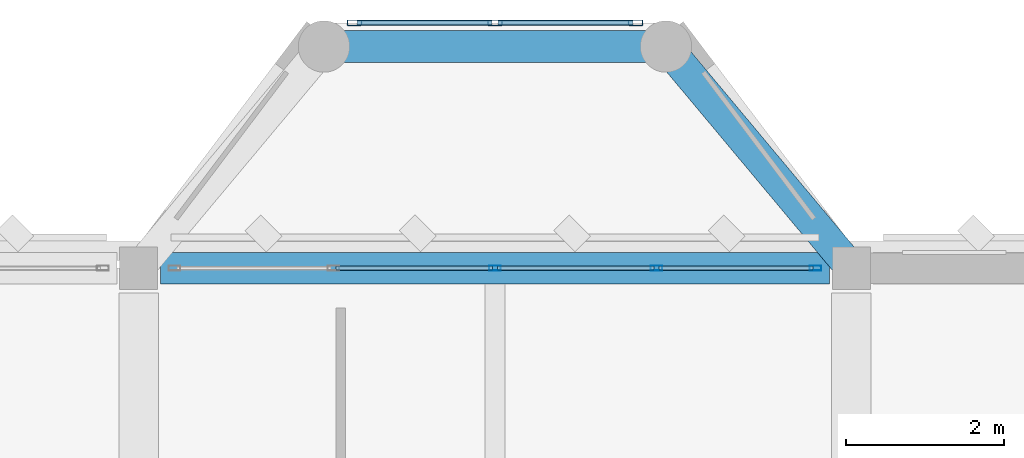
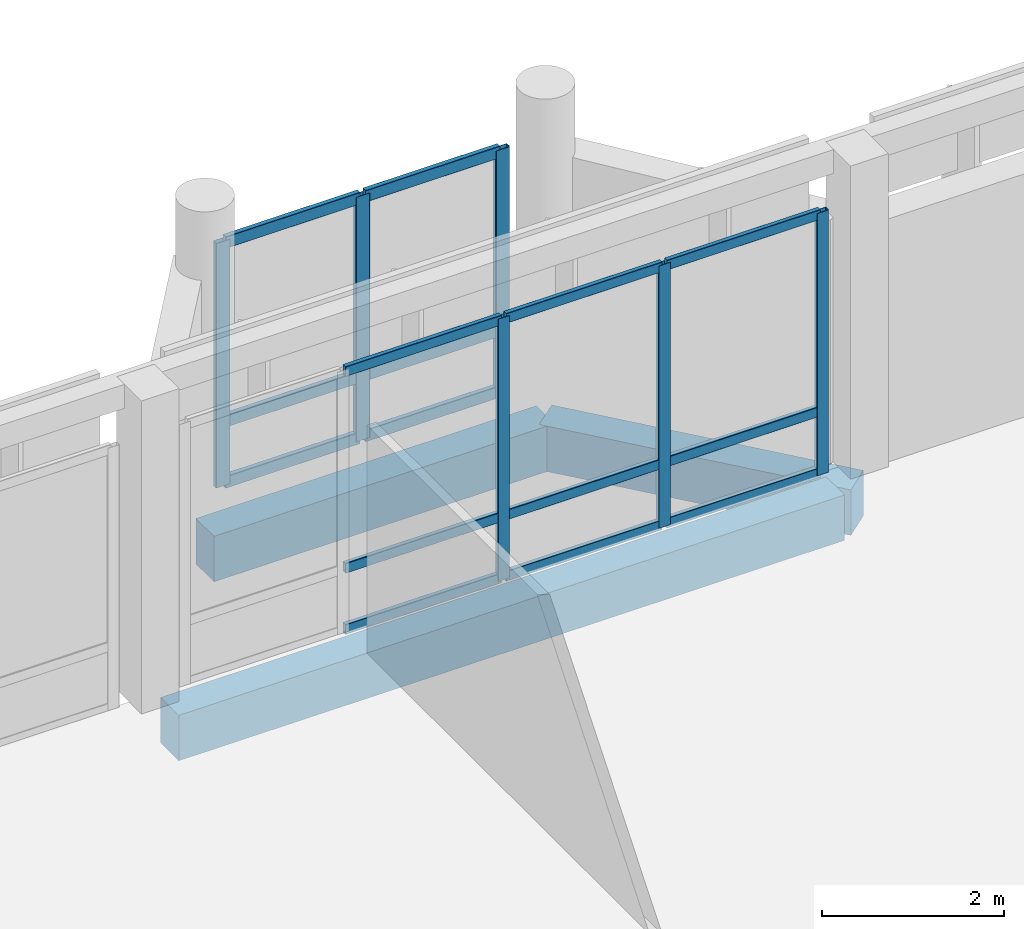
# One storey, part 38 of 72: 21 members, 3 beams, 2 elements without a shape of their own.
"""IFC4 building model written with IfcOpenShell, lengths in metres."""

from ifc_helpers import new_model, si_unit, direction, frame, origin, origin_2d, place, context, subcontext, project, spatial, rectangle, hollow_rectangle, extrude, material, material_profile, profile_set, type_object, element, aggregate, save


model = new_model("IFC4")

# Units and contexts
model_context = context("Model", 3, precision=1e-05, world=origin(), true_north=direction((0.0, 1.0)))
body_context = subcontext(model_context, "Body", "Model", "MODEL_VIEW")
ifc_project = project(units=[si_unit("LENGTHUNIT", "METRE"), si_unit("AREAUNIT", "SQUARE_METRE"), si_unit("VOLUMEUNIT", "CUBIC_METRE"), si_unit("PLANEANGLEUNIT", "RADIAN"), si_unit("MASSUNIT", "GRAM", prefix="KILO")], contexts=[model_context])

# Site, building, storey
site_placement = place(None, origin())
site = spatial("IfcSite", under=ifc_project, at=site_placement, CompositionType="ELEMENT")
building_placement = place(site_placement, origin())
building = spatial("IfcBuilding", under=site, at=building_placement, Name="Lusvemor Sports Hall", CompositionType="ELEMENT")
storey_placement = place(building_placement, frame((0.0, 0.0, 15.0)))
storey = spatial("IfcBuildingStorey", under=building, at=storey_placement, Name="L03", CompositionType="ELEMENT", Elevation=15.0)

# Curtain wall, members
ifc_material_1 = material(Name="Thermally broken bronze-anodized aluminium", Category="aluminium")
curtain_wall_type_1 = type_object("IfcCurtainWallType", Name="CW_FOYER_A", PredefinedType="NOTDEFINED", material=ifc_material_1)
curtain_wall_1_placement = place(storey_placement, origin())
curtain_wall_1 = element("IfcCurtainWall", 1, at=curtain_wall_1_placement, inside=storey, type_object=curtain_wall_type_1, Name="Curtain Wall CW-BOW-N2-L03-M", PredefinedType="NOTDEFINED")
ifc_material_2 = material(Name="Thermally broken bronze-anodized aluminium", Category="aluminium")
ifc_material_profile_1 = material_profile(ifc_material_2, hollow_rectangle(XDim=0.070068359375, YDim=0.179931640625, WallThickness=0.0048828125, InnerFilletRadius=0.0048828125, OuterFilletRadius=0.010009765625, at=origin_2d()), Name="CWMUL180x70x5")
ifc_profile_set_1 = profile_set([ifc_material_profile_1], Name="Thermally broken bronze-anodized aluminium")
member_type_1 = type_object("IfcMemberType", Name="CW_MUL_A", PredefinedType="MULLION", material=ifc_profile_set_1)
member_1_placement = place(storey_placement, frame((78.324951171875, 118.300048828125, 0.0), z_axis=(0.0, 0.0, 1.0), x_axis=(0.0, 1.0, 0.0)))
member_1 = element("IfcMember", 2, at=member_1_placement, type_object=member_type_1, Name="CW01 mullion 1", PredefinedType="MULLION", context=body_context, shape_type="SweptSolid", body=[
    extrude(hollow_rectangle(XDim=0.070068359375, YDim=0.179931640625, WallThickness=0.0048828125, InnerFilletRadius=0.0048828125, OuterFilletRadius=0.010009765625, at=origin_2d()), origin(), (0.0, 0.0, 1.0), 3.280029296875),
])
member_2_placement = place(storey_placement, frame((80.10009765625, 118.300048828125, 0.0), z_axis=(0.0, 0.0, 1.0), x_axis=(0.0, 1.0, 0.0)))
member_2 = element("IfcMember", 3, at=member_2_placement, type_object=member_type_1, Name="CW01 mullion 2", PredefinedType="MULLION", context=body_context, shape_type="SweptSolid", body=[
    extrude(hollow_rectangle(XDim=0.070068359375, YDim=0.179931640625, WallThickness=0.0048828125, InnerFilletRadius=0.0048828125, OuterFilletRadius=0.010009765625, at=origin_2d()), origin(), (0.0, 0.0, 1.0), 3.280029296875),
])
member_3_placement = place(storey_placement, frame((81.875, 118.300048828125, 0.0), z_axis=(0.0, 0.0, 1.0), x_axis=(0.0, 1.0, 0.0)))
member_3 = element("IfcMember", 4, at=member_3_placement, type_object=member_type_1, Name="CW01 mullion 3", PredefinedType="MULLION", context=body_context, shape_type="SweptSolid", body=[
    extrude(hollow_rectangle(XDim=0.070068359375, YDim=0.179931640625, WallThickness=0.0048828125, InnerFilletRadius=0.0048828125, OuterFilletRadius=0.010009765625, at=origin_2d()), origin(), (0.0, 0.0, 1.0), 3.280029296875),
])

ifc_material_3 = material(Name="Thermally broken bronze-anodized aluminium", Category="aluminium")
curtain_wall_type_2 = type_object("IfcCurtainWallType", Name="CW_WING_B", PredefinedType="NOTDEFINED", material=ifc_material_3)
curtain_wall_2_placement = place(storey_placement, origin())
curtain_wall_2 = element("IfcCurtainWall", 5, at=curtain_wall_2_placement, inside=storey, type_object=curtain_wall_type_2, Name="Curtain Wall CW-L03-N-1-7", PredefinedType="NOTDEFINED")
ifc_material_4 = material(Name="Thermally broken bronze-anodized aluminium", Category="aluminium")
ifc_material_profile_2 = material_profile(ifc_material_4, hollow_rectangle(XDim=0.06494140625, YDim=0.14990234375, WallThickness=0.00390625, InnerFilletRadius=0.00390625, OuterFilletRadius=0.008056640625, at=origin_2d()), Name="CWMUL150x65x4")
ifc_profile_set_2 = profile_set([ifc_material_profile_2], Name="Thermally broken bronze-anodized aluminium")
member_type_2 = type_object("IfcMemberType", Name="CW_MUL_B", PredefinedType="MULLION", material=ifc_profile_set_2)
member_4_placement = place(storey_placement, frame((80.10009765625, 115.199951171875, 0.0), z_axis=(0.0, 0.0, 1.0), x_axis=(0.0, 1.0, 0.0)))
member_4 = element("IfcMember", 6, at=member_4_placement, type_object=member_type_2, Name="CW02 mullion 3", PredefinedType="MULLION", context=body_context, shape_type="SweptSolid", body=[
    extrude(hollow_rectangle(XDim=0.06494140625, YDim=0.14990234375, WallThickness=0.00390625, InnerFilletRadius=0.00390625, OuterFilletRadius=0.008056640625, at=origin_2d()), origin(), (0.0, 0.0, 1.0), 3.52001953125),
])
member_5_placement = place(storey_placement, frame((82.139892578125, 115.199951171875, 0.0), z_axis=(0.0, 0.0, 1.0), x_axis=(0.0, 1.0, 0.0)))
member_5 = element("IfcMember", 7, at=member_5_placement, type_object=member_type_2, Name="CW02 mullion 4", PredefinedType="MULLION", context=body_context, shape_type="SweptSolid", body=[
    extrude(hollow_rectangle(XDim=0.06494140625, YDim=0.14990234375, WallThickness=0.00390625, InnerFilletRadius=0.00390625, OuterFilletRadius=0.008056640625, at=origin_2d()), origin(), (0.0, 0.0, 1.0), 3.52001953125),
])
member_6_placement = place(storey_placement, frame((84.1474609375, 115.199951171875, 0.0), z_axis=(0.0, 0.0, 1.0), x_axis=(0.0, 1.0, 0.0)))
member_6 = element("IfcMember", 8, at=member_6_placement, type_object=member_type_2, Name="CW02 mullion 5", PredefinedType="MULLION", context=body_context, shape_type="SweptSolid", body=[
    extrude(hollow_rectangle(XDim=0.06494140625, YDim=0.14990234375, WallThickness=0.00390625, InnerFilletRadius=0.00390625, OuterFilletRadius=0.008056640625, at=origin_2d()), origin(), (0.0, 0.0, 1.0), 3.52001953125),
])

# Member
ifc_material_5 = material(Name="Thermally broken bronze-anodized aluminium", Category="aluminium")
ifc_material_profile_3 = material_profile(ifc_material_5, hollow_rectangle(XDim=0.06494140625, YDim=0.159912109375, WallThickness=0.00390625, InnerFilletRadius=0.00390625, OuterFilletRadius=0.008056640625, at=origin_2d()), Name="CWTRN160x65x4")
ifc_profile_set_3 = profile_set([ifc_material_profile_3], Name="Thermally broken bronze-anodized aluminium")
member_type_3 = type_object("IfcMemberType", Name="CW_TRN_A", PredefinedType="USERDEFINED", material=ifc_profile_set_3)
member_7_placement = place(storey_placement, frame((78.360107421875, 118.300048828125, 0.032470703125), z_axis=(1.0, 0.0, 0.0), x_axis=(0.0, 1.0, 0.0)))
member_7 = element("IfcMember", 9, at=member_7_placement, type_object=member_type_3, Name="CW01 transom 1.1", ObjectType="TRANSOM", PredefinedType="USERDEFINED", context=body_context, shape_type="SweptSolid", body=[
    extrude(hollow_rectangle(XDim=0.06494140625, YDim=0.159912109375, WallThickness=0.00390625, InnerFilletRadius=0.00390625, OuterFilletRadius=0.008056640625, at=origin_2d()), origin(), (0.0, 0.0, 1.0), 1.704833984375),
])

member_8_placement = place(storey_placement, frame((78.360107421875, 118.300048828125, 0.85009765625), z_axis=(1.0, 0.0, 0.0), x_axis=(0.0, 1.0, 0.0)))
member_8 = element("IfcMember", 10, at=member_8_placement, type_object=member_type_3, Name="CW01 transom 1.2", ObjectType="TRANSOM", PredefinedType="USERDEFINED", context=body_context, shape_type="SweptSolid", body=[
    extrude(hollow_rectangle(XDim=0.06494140625, YDim=0.159912109375, WallThickness=0.00390625, InnerFilletRadius=0.00390625, OuterFilletRadius=0.008056640625, at=origin_2d()), origin(), (0.0, 0.0, 1.0), 1.704833984375),
])

member_9_placement = place(storey_placement, frame((78.360107421875, 118.300048828125, 3.24755859375), z_axis=(1.0, 0.0, 0.0), x_axis=(0.0, 1.0, 0.0)))
member_9 = element("IfcMember", 11, at=member_9_placement, type_object=member_type_3, Name="CW01 transom 1.3", ObjectType="TRANSOM", PredefinedType="USERDEFINED", context=body_context, shape_type="SweptSolid", body=[
    extrude(hollow_rectangle(XDim=0.06494140625, YDim=0.159912109375, WallThickness=0.00390625, InnerFilletRadius=0.00390625, OuterFilletRadius=0.008056640625, at=origin_2d()), origin(), (0.0, 0.0, 1.0), 1.704833984375),
])

member_10_placement = place(storey_placement, frame((80.135009765625, 118.300048828125, 0.032470703125), z_axis=(1.0, 0.0, 0.0), x_axis=(0.0, 1.0, 0.0)))
member_10 = element("IfcMember", 12, at=member_10_placement, type_object=member_type_3, Name="CW01 transom 2.1", ObjectType="TRANSOM", PredefinedType="USERDEFINED", context=body_context, shape_type="SweptSolid", body=[
    extrude(hollow_rectangle(XDim=0.06494140625, YDim=0.159912109375, WallThickness=0.00390625, InnerFilletRadius=0.00390625, OuterFilletRadius=0.008056640625, at=origin_2d()), origin(), (0.0, 0.0, 1.0), 1.705078125),
])

member_11_placement = place(storey_placement, frame((80.135009765625, 118.300048828125, 0.85009765625), z_axis=(1.0, 0.0, 0.0), x_axis=(0.0, 1.0, 0.0)))
member_11 = element("IfcMember", 13, at=member_11_placement, type_object=member_type_3, Name="CW01 transom 2.2", ObjectType="TRANSOM", PredefinedType="USERDEFINED", context=body_context, shape_type="SweptSolid", body=[
    extrude(hollow_rectangle(XDim=0.06494140625, YDim=0.159912109375, WallThickness=0.00390625, InnerFilletRadius=0.00390625, OuterFilletRadius=0.008056640625, at=origin_2d()), origin(), (0.0, 0.0, 1.0), 1.705078125),
])

member_12_placement = place(storey_placement, frame((80.135009765625, 118.300048828125, 3.24755859375), z_axis=(1.0, 0.0, 0.0), x_axis=(0.0, 1.0, 0.0)))
member_12 = element("IfcMember", 14, at=member_12_placement, type_object=member_type_3, Name="CW01 transom 2.3", ObjectType="TRANSOM", PredefinedType="USERDEFINED", context=body_context, shape_type="SweptSolid", body=[
    extrude(hollow_rectangle(XDim=0.06494140625, YDim=0.159912109375, WallThickness=0.00390625, InnerFilletRadius=0.00390625, OuterFilletRadius=0.008056640625, at=origin_2d()), origin(), (0.0, 0.0, 1.0), 1.705078125),
])

aggregate(curtain_wall_1, [member_1, member_2, member_3, member_7, member_8, member_9, member_10, member_11, member_12])

ifc_material_6 = material(Name="Thermally broken bronze-anodized aluminium", Category="aluminium")
ifc_material_profile_4 = material_profile(ifc_material_6, hollow_rectangle(XDim=0.06005859375, YDim=0.135009765625, WallThickness=0.00390625, InnerFilletRadius=0.00390625, OuterFilletRadius=0.008056640625, at=origin_2d()), Name="CWTRN135x60x4")
ifc_profile_set_4 = profile_set([ifc_material_profile_4], Name="Thermally broken bronze-anodized aluminium")
member_type_4 = type_object("IfcMemberType", Name="CW_TRN_B", PredefinedType="USERDEFINED", material=ifc_profile_set_4)
member_13_placement = place(storey_placement, frame((78.092529296875, 115.199951171875, 0.030029296875), z_axis=(1.0, 0.0, 0.0), x_axis=(0.0, 1.0, 0.0)))
member_13 = element("IfcMember", 15, at=member_13_placement, type_object=member_type_4, Name="CW02 transom 2.1", ObjectType="TRANSOM", PredefinedType="USERDEFINED", context=body_context, shape_type="SweptSolid", body=[
    extrude(hollow_rectangle(XDim=0.06005859375, YDim=0.135009765625, WallThickness=0.00390625, InnerFilletRadius=0.00390625, OuterFilletRadius=0.008056640625, at=origin_2d()), origin(), (0.0, 0.0, 1.0), 1.974853515625),
])

member_14_placement = place(storey_placement, frame((78.092529296875, 115.199951171875, 0.85009765625), z_axis=(1.0, 0.0, 0.0), x_axis=(0.0, 1.0, 0.0)))
member_14 = element("IfcMember", 16, at=member_14_placement, type_object=member_type_4, Name="CW02 transom 2.2", ObjectType="TRANSOM", PredefinedType="USERDEFINED", context=body_context, shape_type="SweptSolid", body=[
    extrude(hollow_rectangle(XDim=0.06005859375, YDim=0.135009765625, WallThickness=0.00390625, InnerFilletRadius=0.00390625, OuterFilletRadius=0.008056640625, at=origin_2d()), origin(), (0.0, 0.0, 1.0), 1.974853515625),
])

member_15_placement = place(storey_placement, frame((78.092529296875, 115.199951171875, 3.489990234375), z_axis=(1.0, 0.0, 0.0), x_axis=(0.0, 1.0, 0.0)))
member_15 = element("IfcMember", 17, at=member_15_placement, type_object=member_type_4, Name="CW02 transom 2.3", ObjectType="TRANSOM", PredefinedType="USERDEFINED", context=body_context, shape_type="SweptSolid", body=[
    extrude(hollow_rectangle(XDim=0.06005859375, YDim=0.135009765625, WallThickness=0.00390625, InnerFilletRadius=0.00390625, OuterFilletRadius=0.008056640625, at=origin_2d()), origin(), (0.0, 0.0, 1.0), 1.974853515625),
])

member_16_placement = place(storey_placement, frame((80.132568359375, 115.199951171875, 0.030029296875), z_axis=(1.0, 0.0, 0.0), x_axis=(0.0, 1.0, 0.0)))
member_16 = element("IfcMember", 18, at=member_16_placement, type_object=member_type_4, Name="CW02 transom 3.1", ObjectType="TRANSOM", PredefinedType="USERDEFINED", context=body_context, shape_type="SweptSolid", body=[
    extrude(hollow_rectangle(XDim=0.06005859375, YDim=0.135009765625, WallThickness=0.00390625, InnerFilletRadius=0.00390625, OuterFilletRadius=0.008056640625, at=origin_2d()), origin(), (0.0, 0.0, 1.0), 1.974853515625),
])

member_17_placement = place(storey_placement, frame((80.132568359375, 115.199951171875, 0.85009765625), z_axis=(1.0, 0.0, 0.0), x_axis=(0.0, 1.0, 0.0)))
member_17 = element("IfcMember", 19, at=member_17_placement, type_object=member_type_4, Name="CW02 transom 3.2", ObjectType="TRANSOM", PredefinedType="USERDEFINED", context=body_context, shape_type="SweptSolid", body=[
    extrude(hollow_rectangle(XDim=0.06005859375, YDim=0.135009765625, WallThickness=0.00390625, InnerFilletRadius=0.00390625, OuterFilletRadius=0.008056640625, at=origin_2d()), origin(), (0.0, 0.0, 1.0), 1.974853515625),
])

member_18_placement = place(storey_placement, frame((80.132568359375, 115.199951171875, 3.489990234375), z_axis=(1.0, 0.0, 0.0), x_axis=(0.0, 1.0, 0.0)))
member_18 = element("IfcMember", 20, at=member_18_placement, type_object=member_type_4, Name="CW02 transom 3.3", ObjectType="TRANSOM", PredefinedType="USERDEFINED", context=body_context, shape_type="SweptSolid", body=[
    extrude(hollow_rectangle(XDim=0.06005859375, YDim=0.135009765625, WallThickness=0.00390625, InnerFilletRadius=0.00390625, OuterFilletRadius=0.008056640625, at=origin_2d()), origin(), (0.0, 0.0, 1.0), 1.974853515625),
])

member_19_placement = place(storey_placement, frame((82.172607421875, 115.199951171875, 0.030029296875), z_axis=(1.0, 0.0, 0.0), x_axis=(0.0, 1.0, 0.0)))
member_19 = element("IfcMember", 21, at=member_19_placement, type_object=member_type_4, Name="CW02 transom 4.1", ObjectType="TRANSOM", PredefinedType="USERDEFINED", context=body_context, shape_type="SweptSolid", body=[
    extrude(hollow_rectangle(XDim=0.06005859375, YDim=0.135009765625, WallThickness=0.00390625, InnerFilletRadius=0.00390625, OuterFilletRadius=0.008056640625, at=origin_2d()), origin(), (0.0, 0.0, 1.0), 1.9423828125),
])

member_20_placement = place(storey_placement, frame((82.172607421875, 115.199951171875, 0.85009765625), z_axis=(1.0, 0.0, 0.0), x_axis=(0.0, 1.0, 0.0)))
member_20 = element("IfcMember", 22, at=member_20_placement, type_object=member_type_4, Name="CW02 transom 4.2", ObjectType="TRANSOM", PredefinedType="USERDEFINED", context=body_context, shape_type="SweptSolid", body=[
    extrude(hollow_rectangle(XDim=0.06005859375, YDim=0.135009765625, WallThickness=0.00390625, InnerFilletRadius=0.00390625, OuterFilletRadius=0.008056640625, at=origin_2d()), origin(), (0.0, 0.0, 1.0), 1.9423828125),
])

member_21_placement = place(storey_placement, frame((82.172607421875, 115.199951171875, 3.489990234375), z_axis=(1.0, 0.0, 0.0), x_axis=(0.0, 1.0, 0.0)))
member_21 = element("IfcMember", 23, at=member_21_placement, type_object=member_type_4, Name="CW02 transom 4.3", ObjectType="TRANSOM", PredefinedType="USERDEFINED", context=body_context, shape_type="SweptSolid", body=[
    extrude(hollow_rectangle(XDim=0.06005859375, YDim=0.135009765625, WallThickness=0.00390625, InnerFilletRadius=0.00390625, OuterFilletRadius=0.008056640625, at=origin_2d()), origin(), (0.0, 0.0, 1.0), 1.9423828125),
])

aggregate(curtain_wall_2, [member_4, member_5, member_6, member_13, member_14, member_15, member_16, member_17, member_18, member_19, member_20, member_21])

# Beams
ifc_material_7 = material(Name="Concrete C40/50", Category="concrete")
ifc_material_profile_5 = material_profile(ifc_material_7, rectangle(XDim=0.39990234375, YDim=0.610107421875, at=origin_2d()), Name="RC400x610")
ifc_profile_set_5 = profile_set([ifc_material_profile_5], Name="Concrete C40/50")
beam_type = type_object("IfcBeamType", Name="SPAND_EXT_650", PredefinedType="SPANDREL", material=ifc_profile_set_5)
beam_1_placement = place(storey_placement, frame((75.8759765625, 115.199951171875, -0.544921875), z_axis=(1.0, 0.0, 0.0), x_axis=(0.0, 1.0, 0.0)))
element("IfcBeam", 24, at=beam_1_placement, inside=storey, type_object=beam_type, Name="Beam L03 Q:8-9", PredefinedType="SPANDREL", context=body_context, shape_type="SweptSolid", body=[
    extrude(rectangle(XDim=0.39990234375, YDim=0.610107421875, at=origin_2d()), origin(), (0.0, 0.0, 1.0), 8.447998046875),
])
beam_2_placement = place(storey_placement, frame((77.93994140625, 118.0, -0.56494140625), z_axis=(1.0, 0.0, 0.0), x_axis=(0.0, 1.0, 0.0)))
element("IfcBeam", 25, at=beam_2_placement, inside=storey, type_object=beam_type, Name="Bow Pavilion Edge Beam BOW-N2 L03-2", PredefinedType="SPANDREL", context=body_context, shape_type="SweptSolid", body=[
    extrude(rectangle(XDim=0.39990234375, YDim=0.610107421875, at=origin_2d()), origin(), (0.0, 0.0, 1.0), 4.320068359375),
])
beam_3_placement = place(storey_placement, frame((82.260009765625, 118.0, -0.56494140625), z_axis=(0.641269570303, -0.767315670506, 0.0), x_axis=(0.767315670506, 0.641269570303, 0.0)))
element("IfcBeam", 26, at=beam_3_placement, inside=storey, type_object=beam_type, Name="Bow Pavilion Edge Beam BOW-N2 L03-3", PredefinedType="SPANDREL", context=body_context, shape_type="SweptSolid", body=[
    extrude(rectangle(XDim=0.39990234375, YDim=0.610107421875, at=origin_2d()), origin(), (0.0, 0.0, 1.0), 3.649169921875),
])

save(model, "model.ifc")
